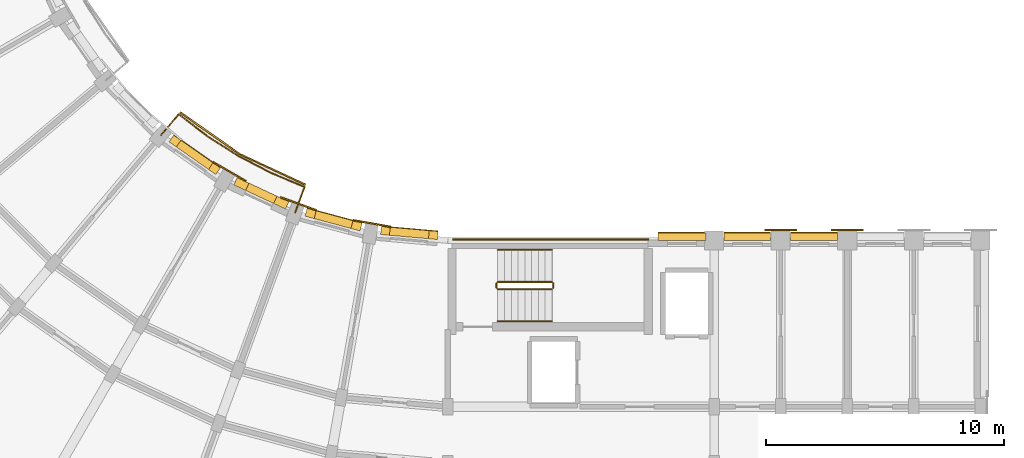
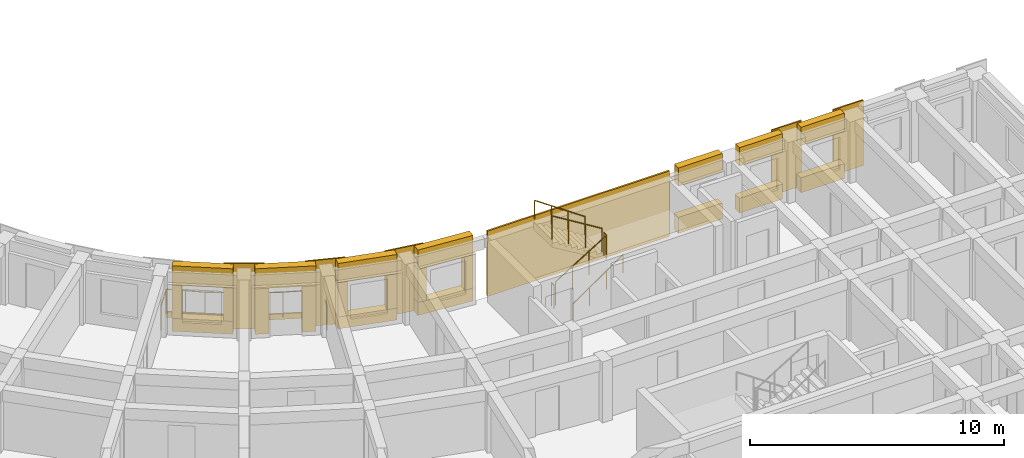
# One storey, part 40 of 54: 28 coverings, 7 railings.
"""IFC4 building model written with IfcOpenShell, lengths in metres."""

import ifcopenshell
import ifcopenshell.guid

model = None  # the IFC model being written
_history = None  # IfcOwnerHistory: only IFC2X3 demands one
_inside = {}  # id of a spatial element -> (the spatial element, [elements in it])
_under = {}  # id of a project, library or spatial element -> (it, [spatial elements below it])
_declared = {}  # id of a project -> (the project, [libraries it declares])
_typed = {}  # id of a type object -> (the type object, [elements of that type])
_made_of = {}  # id of a material, layer set ... -> (it, [elements and type objects made of it])


def new_model(schema):
    """Start an empty IFC model of exactly this schema.

    Asked for "IFC4X3", IfcOpenShell would pick the latest addendum, in which some entities
    have other attributes; the version numbers below select the first issue.
    IFC2X3 requires an IfcOwnerHistory on every rooted entity: one is made here for all.
    """
    global model, _history
    if schema == "IFC4X3":
        model = ifcopenshell.file(schema_version=(4, 3, 0, 0))
    else:
        model = ifcopenshell.file(schema=schema)
    _inside.clear()
    _under.clear()
    _declared.clear()
    _typed.clear()
    _made_of.clear()
    _history = None
    if model.schema == "IFC2X3":
        org = make("IfcOrganization", Name="unknown")
        user = make(
            "IfcPersonAndOrganization",
            ThePerson=make("IfcPerson", FamilyName="unknown"),
            TheOrganization=org,
        )
        app = make(
            "IfcApplication",
            ApplicationDeveloper=org,
            Version="unknown",
            ApplicationFullName="unknown",
            ApplicationIdentifier="unknown",
        )
        _history = make(
            "IfcOwnerHistory",
            OwningUser=user,
            OwningApplication=app,
            ChangeAction="ADDED",
            CreationDate=0,
        )
    return model


def make(cls, **values):
    """One entity of the class cls with the attributes given. An attribute that is None is left unset."""
    return model.create_entity(
        cls, **{name: value for name, value in values.items() if value is not None}
    )


def rooted(cls, **values):
    """An entity with a GlobalId (a new one), such as an element, a storey or a relation."""
    return make(cls, GlobalId=ifcopenshell.guid.new(), OwnerHistory=_history, **values)


def si_unit(unit_type, name, prefix=None):
    """IfcSIUnit, for example si_unit("LENGTHUNIT", "METRE", prefix="MILLI")."""
    return make("IfcSIUnit", UnitType=unit_type, Prefix=prefix, Name=name)


def assignment(units):
    """IfcUnitAssignment: the units of a project."""
    return None if units is None else make("IfcUnitAssignment", Units=units)


def point(xyz):
    """IfcCartesianPoint."""
    return None if xyz is None else make("IfcCartesianPoint", Coordinates=xyz)


def direction(xyz):
    """IfcDirection."""
    return None if xyz is None else make("IfcDirection", DirectionRatios=xyz)


def frame(location, z_axis=None, x_axis=None):
    """IfcAxis2Placement3D, a coordinate frame: its origin and axes. An axis left out is left unset."""
    return make(
        "IfcAxis2Placement3D",
        Location=point(location),
        Axis=direction(z_axis),
        RefDirection=direction(x_axis),
    )


def frame_2d(location, x_axis=None):
    """IfcAxis2Placement2D, a coordinate frame in the plane: its origin and x axis."""
    return make(
        "IfcAxis2Placement2D", Location=point(location), RefDirection=direction(x_axis)
    )


def origin():
    """The frame at (0, 0, 0) with its axes left unset."""
    return frame((0.0, 0.0, 0.0))


def origin_2d():
    """The frame at (0, 0) in the plane with its x axis left unset."""
    return frame_2d((0.0, 0.0))


def place(relative_to, where):
    """IfcLocalPlacement: puts the frame where relative to a parent placement (None: the world)."""
    return make(
        "IfcLocalPlacement", PlacementRelTo=relative_to, RelativePlacement=where
    )


def context(
    kind, dimensions, precision=None, world=None, true_north=None, identifier=None
):
    """IfcGeometricRepresentationContext, for example the 3D "Model" context."""
    return make(
        "IfcGeometricRepresentationContext",
        ContextIdentifier=identifier,
        ContextType=kind,
        CoordinateSpaceDimension=dimensions,
        Precision=precision,
        WorldCoordinateSystem=world,
        TrueNorth=true_north,
    )


def subcontext(parent, identifier, kind, view, scale=None):
    """IfcGeometricRepresentationSubContext, for example "Body" below "Model"."""
    return make(
        "IfcGeometricRepresentationSubContext",
        ContextIdentifier=identifier,
        ContextType=kind,
        ParentContext=parent,
        TargetScale=scale,
        TargetView=view,
    )


def project(units=None, contexts=None):
    """IfcProject with its units and contexts."""
    return rooted(
        "IfcProject",
        Name="project",
        RepresentationContexts=contexts,
        UnitsInContext=assignment(units),
    )


def spatial(cls, under=None, at=None, **own):
    """A site, building, storey or space (cls), placed at a placement, below another one or the project."""
    s = rooted(cls, ObjectPlacement=at, **own)
    if under is not None:
        _under.setdefault(under.id(), (under, []))[1].append(s)
    return s


def polyline(points):
    """IfcPolyline through the points."""
    return make("IfcPolyline", Points=[point(p) for p in points])


def profile(cls, at=None, kind="AREA", **sizes):
    """A parametric profile (cls). Its sizes go by their IFC names, for example OverallWidth=200.0."""
    return make(cls, ProfileType=kind, Position=at, **sizes)


def circle(**sizes):
    """IfcCircleProfileDef."""
    return profile("IfcCircleProfileDef", **sizes)


def outline(outer, holes=None, kind="AREA"):
    """IfcArbitraryClosedProfileDef: a profile drawn as a closed curve; with holes, ...WithVoids."""
    if holes is None:
        return make("IfcArbitraryClosedProfileDef", ProfileType=kind, OuterCurve=outer)
    return make(
        "IfcArbitraryProfileDefWithVoids",
        ProfileType=kind,
        OuterCurve=outer,
        InnerCurves=holes,
    )


def extrude(swept, where, along, depth):
    """IfcExtrudedAreaSolid: the profile swept, set in the frame where, extruded along a direction by depth."""
    return make(
        "IfcExtrudedAreaSolid",
        SweptArea=swept,
        Position=where,
        ExtrudedDirection=direction(along),
        Depth=depth,
    )


def shape(context_of_items, identifier, shape_type, items):
    """IfcShapeRepresentation: the items that make up one representation, for example the "Body"."""
    return make(
        "IfcShapeRepresentation",
        ContextOfItems=context_of_items,
        RepresentationIdentifier=identifier,
        RepresentationType=shape_type,
        Items=items,
    )


def material(Name=None, Category=None):
    """IfcMaterial."""
    return make("IfcMaterial", Name=Name, Category=Category)


def layer(
    of_material, thickness, ventilated=None, Name=None, Category=None, Priority=None
):
    """IfcMaterialLayer: one layer of a wall or slab, of a material (None: an air gap)."""
    return make(
        "IfcMaterialLayer",
        Material=of_material,
        LayerThickness=thickness,
        IsVentilated=ventilated,
        Name=Name,
        Category=Category,
        Priority=Priority,
    )


def layer_set(layers, Name=None):
    """IfcMaterialLayerSet."""
    return make("IfcMaterialLayerSet", MaterialLayers=layers, LayerSetName=Name)


def made_of(thing, what):
    """Note that an element or type object is made of a material, layer set ...; save() writes the relation."""
    if what is not None:
        _made_of.setdefault(what.id(), (what, []))[1].append(thing)
    return thing


def type_object(cls, material=None, **own):
    """A type object (cls), such as IfcWallType, which elements share."""
    return made_of(rooted(cls, **own), material)


def element(
    cls,
    number,
    at=None,
    inside=None,
    cuts=None,
    type_object=None,
    material=None,
    context=None,
    identifier="Body",
    shape_type=None,
    held_by="IfcProductDefinitionShape",
    body=None,
    shapes=None,
    **own,
):
    """One element of the class cls, such as IfcWall. Its Tag is "e" and its number.

    at: its placement. inside: the storey or other place that contains it. cuts: it is an
    opening in that element (IfcRelVoidsElement). A single representation is given by context,
    identifier, shape_type and body (its items); several are given by shapes. held_by: the class
    of the entity that holds the representations. save() writes the other relations.
    """
    e = rooted(cls, Tag="e%d" % number, ObjectPlacement=at, **own)
    if body is not None:
        shapes = [shape(context, identifier, shape_type, body)]
    if shapes is not None:
        e.Representation = make(held_by, Representations=shapes)
    if inside is not None:
        _inside.setdefault(inside.id(), (inside, []))[1].append(e)
    if cuts is not None:
        rooted(
            "IfcRelVoidsElement", RelatingBuildingElement=cuts, RelatedOpeningElement=e
        )
    if type_object is not None:
        _typed.setdefault(type_object.id(), (type_object, []))[1].append(e)
    return made_of(e, material)


def aggregate(whole, parts):
    """IfcRelAggregates: a whole, such as a stair, and the parts it consists of."""
    return rooted("IfcRelAggregates", RelatingObject=whole, RelatedObjects=parts)


def save(model, path):
    """Write the relations noted so far, then the file.

    IfcRelAggregates (storeys below a building ...), IfcRelContainedInSpatialStructure (elements
    in a storey), IfcRelDefinesByType, IfcRelAssociatesMaterial and IfcRelDeclares: one each for
    every whole, place, type object, material and project.
    """
    for whole, parts in _under.values():
        aggregate(whole, parts)
    for where, things in _inside.values():
        rooted(
            "IfcRelContainedInSpatialStructure",
            RelatedElements=things,
            RelatingStructure=where,
        )
    for kind, things in _typed.values():
        rooted("IfcRelDefinesByType", RelatedObjects=things, RelatingType=kind)
    for what, things in _made_of.values():
        rooted("IfcRelAssociatesMaterial", RelatedObjects=things, RelatingMaterial=what)
    for by, libraries in _declared.values():
        rooted("IfcRelDeclares", RelatingContext=by, RelatedDefinitions=libraries)
    model.write(path)


model = new_model("IFC4")

# Units and contexts
model_context = context("Model", 3, precision=1e-05, world=origin(), true_north=direction((0.0, 1.0)))
body_context = subcontext(model_context, "Body", "Model", "MODEL_VIEW")
ifc_project = project(units=[si_unit("LENGTHUNIT", "METRE"), si_unit("AREAUNIT", "SQUARE_METRE"), si_unit("VOLUMEUNIT", "CUBIC_METRE"), si_unit("PLANEANGLEUNIT", "RADIAN"), si_unit("MASSUNIT", "GRAM", prefix="KILO")], contexts=[model_context])

# Site, building, storey
site_placement = place(None, origin())
site = spatial("IfcSite", under=ifc_project, at=site_placement, CompositionType="ELEMENT")
building_placement = place(site_placement, origin())
building = spatial("IfcBuilding", under=site, at=building_placement, Name="Kiranvali Square Residences", CompositionType="ELEMENT")
storey_placement = place(building_placement, frame((0.0, 0.0, 11.85009765625)))
storey = spatial("IfcBuildingStorey", under=building, at=storey_placement, Name="L03", CompositionType="ELEMENT", Elevation=11.85009765625)

# Coverings
ifc_material_1 = material(Name="Carved Porbandar limestone classical entablature and cornice", Category="masonry")
ifc_layer_1 = layer(ifc_material_1, 0.06201171875)
ifc_layer_set_1 = layer_set([ifc_layer_1], Name="Carved Porbandar limestone classical entablature and cornice")
covering_type_1 = type_object("IfcCoveringType", Name="COV-CLAD-GBAL", PredefinedType="CLADDING", material=ifc_layer_set_1)
covering_1_placement = place(storey_placement, frame((0.0, 0.0, -0.22021484375)))
element("IfcCovering", 1, at=covering_1_placement, inside=storey, type_object=covering_type_1, Name="Block C L03 garden balcony limestone fascia 1", PredefinedType="CLADDING", context=body_context, shape_type="SweptSolid", body=[
    extrude(outline(polyline([(42.221435546875, 31.774169921875), (39.4599609375, 33.061767578125), (36.964111328125, 34.8095703125), (36.92041015625, 34.757568359375), (39.426025390625, 33.0029296875), (42.1982421875, 31.710205078125), (42.221435546875, 31.774169921875)])), origin(), (0.0, 0.0, 1.0), 0.27001953125),
])
ifc_material_2 = material(Name="Honed Porbandar limestone ashlar facade cladding", Category="masonry")
ifc_layer_2 = layer(ifc_material_2, 0.3798828125)
ifc_layer_set_2 = layer_set([ifc_layer_2], Name="Honed Porbandar limestone ashlar facade cladding")
covering_type_2 = type_object("IfcCoveringType", Name="COV-CLAD-JAMB", PredefinedType="CLADDING", material=ifc_layer_set_2)
covering_2_placement = place(storey_placement, frame((0.0, 0.0, 0.621826171875)))
element("IfcCovering", 2, at=covering_2_placement, inside=storey, type_object=covering_type_2, Name="L03 deep limestone window jamb reveal C-L03-GDN-00.L", PredefinedType="CLADDING", context=body_context, shape_type="SweptSolid", body=[
    extrude(outline(polyline([(47.791259765625, 29.777099609375), (47.419189453125, 29.8095703125), (47.3896484375, 29.471435546875), (47.76171875, 29.43896484375), (47.791259765625, 29.777099609375)])), origin(), (0.0, 0.0, 1.0), 1.60009765625),
])
covering_3_placement = place(storey_placement, frame((0.0, 0.0, 0.621826171875)))
element("IfcCovering", 3, at=covering_3_placement, inside=storey, type_object=covering_type_2, Name="L03 deep limestone window jamb reveal C-L03-GDN-00.R", PredefinedType="CLADDING", context=body_context, shape_type="SweptSolid", body=[
    extrude(outline(polyline([(45.775390625, 29.953369140625), (45.4033203125, 29.986083984375), (45.373779296875, 29.647705078125), (45.745849609375, 29.615234375), (45.775390625, 29.953369140625)])), origin(), (0.0, 0.0, 1.0), 1.60009765625),
])
covering_4_placement = place(storey_placement, frame((0.0, 0.0, 0.572021484375)))
element("IfcCovering", 4, at=covering_4_placement, inside=storey, type_object=covering_type_2, Name="L03 deep limestone window jamb reveal C-L03-GDN-01.L", PredefinedType="CLADDING", context=body_context, shape_type="SweptSolid", body=[
    extrude(outline(polyline([(44.598388671875, 30.1279296875), (44.21337890625, 30.23095703125), (44.12548828125, 29.903076171875), (44.510498046875, 29.800048828125), (44.598388671875, 30.1279296875)])), origin(), (0.0, 0.0, 1.0), 1.64990234375),
])
covering_5_placement = place(storey_placement, frame((0.0, 0.0, 0.572021484375)))
element("IfcCovering", 5, at=covering_5_placement, inside=storey, type_object=covering_type_2, Name="L03 deep limestone window jamb reveal C-L03-GDN-01.R", PredefinedType="CLADDING", context=body_context, shape_type="SweptSolid", body=[
    extrude(outline(polyline([(42.66796875, 30.645263671875), (42.282958984375, 30.748291015625), (42.195068359375, 30.42041015625), (42.580078125, 30.317138671875), (42.66796875, 30.645263671875)])), origin(), (0.0, 0.0, 1.0), 1.64990234375),
])
covering_6_placement = place(storey_placement, origin())
element("IfcCovering", 6, at=covering_6_placement, inside=storey, type_object=covering_type_2, Name="L03 deep limestone window jamb reveal C-L03-GDN-02.L", PredefinedType="CLADDING", context=body_context, shape_type="SweptSolid", body=[
    extrude(outline(polyline([(41.514892578125, 31.02783203125), (41.017822265625, 31.259765625), (40.874267578125, 30.951904296875), (41.37158203125, 30.72021484375), (41.514892578125, 31.02783203125)])), origin(), (0.0, 0.0, 1.0), 2.179931640625),
])
covering_7_placement = place(storey_placement, origin())
element("IfcCovering", 7, at=covering_7_placement, inside=storey, type_object=covering_type_2, Name="L03 deep limestone window jamb reveal C-L03-GDN-02.R", PredefinedType="CLADDING", context=body_context, shape_type="SweptSolid", body=[
    extrude(outline(polyline([(39.839599609375, 31.80908203125), (39.342529296875, 32.041015625), (39.198974609375, 31.733154296875), (39.696044921875, 31.50146484375), (39.839599609375, 31.80908203125)])), origin(), (0.0, 0.0, 1.0), 2.179931640625),
])
covering_8_placement = place(storey_placement, frame((0.0, 0.0, 0.621826171875)))
element("IfcCovering", 8, at=covering_8_placement, inside=storey, type_object=covering_type_2, Name="L03 deep limestone window jamb reveal C-L03-GDN-03.L", PredefinedType="CLADDING", context=body_context, shape_type="SweptSolid", body=[
    extrude(outline(polyline([(38.634521484375, 32.44970703125), (38.32861328125, 32.663818359375), (38.1337890625, 32.3857421875), (38.43994140625, 32.171630859375), (38.634521484375, 32.44970703125)])), origin(), (0.0, 0.0, 1.0), 1.60009765625),
])
covering_9_placement = place(storey_placement, frame((0.0, 0.0, 0.621826171875)))
element("IfcCovering", 9, at=covering_9_placement, inside=storey, type_object=covering_type_2, Name="L03 deep limestone window jamb reveal C-L03-GDN-03.R", PredefinedType="CLADDING", context=body_context, shape_type="SweptSolid", body=[
    extrude(outline(polyline([(36.97705078125, 33.6103515625), (36.671142578125, 33.824462890625), (36.476318359375, 33.54638671875), (36.7822265625, 33.33203125), (36.97705078125, 33.6103515625)])), origin(), (0.0, 0.0, 1.0), 1.60009765625),
])
ifc_layer_3 = layer(ifc_material_2, 0.06494140625)
ifc_layer_set_3 = layer_set([ifc_layer_3], Name="Honed Porbandar limestone ashlar facade cladding")
covering_type_3 = type_object("IfcCoveringType", Name="COV-CLAD-PIER", PredefinedType="CLADDING", material=ifc_layer_set_3)
covering_10_placement = place(storey_placement, frame((0.0, 0.0, 0.0048828125)))
element("IfcCovering", 10, at=covering_10_placement, inside=storey, type_object=covering_type_3, Name="Block C L03 garden stair limestone ashlar cladding", PredefinedType="CLADDING", context=body_context, shape_type="SweptSolid", body=[
    extrude(outline(polyline([(48.39990234375, 29.402099609375), (56.64990234375, 29.402099609375), (56.64990234375, 29.47998046875), (48.39990234375, 29.47998046875), (48.39990234375, 29.402099609375)])), origin(), (0.0, 0.0, 1.0), 3.14013671875),
])
ifc_layer_4 = layer(ifc_material_2, 0.050048828125)
ifc_layer_set_4 = layer_set([ifc_layer_4], Name="Honed Porbandar limestone ashlar facade cladding")
covering_type_4 = type_object("IfcCoveringType", Name="COV-CLAD-PIER-IN", PredefinedType="CLADDING", material=ifc_layer_set_4)
covering_11_placement = place(storey_placement, frame((0.0, 0.0, 0.0048828125)))
element("IfcCovering", 11, at=covering_11_placement, inside=storey, type_object=covering_type_4, Name="L03 Classical garden courtyard pilaster CLAD-PRIN-C-L03-A01", PredefinedType="CLADDING", context=body_context, shape_type="SweptSolid", body=[
    extrude(outline(polyline([(45.804443359375, 30.007568359375), (44.228759765625, 30.285400390625), (44.217041015625, 30.218994140625), (45.792724609375, 29.941162109375), (45.804443359375, 30.007568359375)])), origin(), (0.0, 0.0, 1.0), 3.14013671875),
])
covering_12_placement = place(storey_placement, frame((0.0, 0.0, 0.0048828125)))
element("IfcCovering", 12, at=covering_12_placement, inside=storey, type_object=covering_type_4, Name="L03 Classical garden courtyard pilaster CLAD-PRIN-C-L03-A02", PredefinedType="CLADDING", context=body_context, shape_type="SweptSolid", body=[
    extrude(outline(polyline([(42.681884765625, 30.699951171875), (41.17822265625, 31.2470703125), (41.1552734375, 31.183837890625), (42.65869140625, 30.636474609375), (42.681884765625, 30.699951171875)])), origin(), (0.0, 0.0, 1.0), 3.14013671875),
])
covering_13_placement = place(storey_placement, frame((0.0, 0.0, 0.0048828125)))
element("IfcCovering", 13, at=covering_13_placement, inside=storey, type_object=covering_type_4, Name="L03 Classical garden courtyard pilaster CLAD-PRIN-C-L03-A03", PredefinedType="CLADDING", context=body_context, shape_type="SweptSolid", body=[
    extrude(outline(polyline([(39.726806640625, 31.924072265625), (38.341064453125, 32.72412109375), (38.307373046875, 32.66552734375), (39.693115234375, 31.865478515625), (39.726806640625, 31.924072265625)])), origin(), (0.0, 0.0, 1.0), 3.14013671875),
])
covering_14_placement = place(storey_placement, frame((0.0, 0.0, 0.0048828125)))
element("IfcCovering", 14, at=covering_14_placement, inside=storey, type_object=covering_type_4, Name="L03 Classical limestone pilaster casing CLAD-PRA1I-C-L03-U140", PredefinedType="CLADDING", context=body_context, shape_type="SweptSolid", body=[
    extrude(outline(polyline([(61.52001953125, 29.800537109375), (62.8798828125, 29.800537109375), (62.8798828125, 29.867919921875), (61.52001953125, 29.867919921875), (61.52001953125, 29.800537109375)])), origin(), (0.0, 0.0, 1.0), 3.14013671875),
])
covering_15_placement = place(storey_placement, frame((0.0, 0.0, 0.0048828125)))
element("IfcCovering", 15, at=covering_15_placement, inside=storey, type_object=covering_type_4, Name="L03 Classical limestone pilaster casing CLAD-PRA1I-C-L03-U167", PredefinedType="CLADDING", context=body_context, shape_type="SweptSolid", body=[
    extrude(outline(polyline([(64.320068359375, 29.800537109375), (65.679931640625, 29.800537109375), (65.679931640625, 29.867919921875), (64.320068359375, 29.867919921875), (64.320068359375, 29.800537109375)])), origin(), (0.0, 0.0, 1.0), 3.14013671875),
])
ifc_layer_5 = layer(ifc_material_2, 0.360107421875)
ifc_layer_set_5 = layer_set([ifc_layer_5], Name="Honed Porbandar limestone ashlar facade cladding")
covering_type_5 = type_object("IfcCoveringType", Name="COV-CLAD-WALL", PredefinedType="CLADDING", material=ifc_layer_set_5)
covering_16_placement = place(storey_placement, frame((0.0, 0.0, 2.221923828125)))
element("IfcCovering", 16, at=covering_16_placement, inside=storey, type_object=covering_type_5, Name="L03 light limestone spandrel lintel C-L03-GDN-00", PredefinedType="CLADDING", context=body_context, shape_type="SweptSolid", body=[
    extrude(outline(polyline([(47.791259765625, 29.777099609375), (45.4033203125, 29.986083984375), (45.373779296875, 29.647705078125), (47.76171875, 29.43896484375), (47.791259765625, 29.777099609375)])), origin(), (0.0, 0.0, 1.0), 0.923095703125),
])
covering_17_placement = place(storey_placement, frame((0.0, 0.0, 2.221923828125)))
element("IfcCovering", 17, at=covering_17_placement, inside=storey, type_object=covering_type_5, Name="L03 light limestone spandrel lintel C-L03-GDN-01", PredefinedType="CLADDING", context=body_context, shape_type="SweptSolid", body=[
    extrude(outline(polyline([(44.598388671875, 30.1279296875), (42.282958984375, 30.748291015625), (42.195068359375, 30.42041015625), (44.510498046875, 29.800048828125), (44.598388671875, 30.1279296875)])), origin(), (0.0, 0.0, 1.0), 0.923095703125),
])
covering_18_placement = place(storey_placement, frame((0.0, 0.0, 2.179931640625)))
element("IfcCovering", 18, at=covering_18_placement, inside=storey, type_object=covering_type_5, Name="L03 light limestone spandrel lintel C-L03-GDN-02", PredefinedType="CLADDING", context=body_context, shape_type="SweptSolid", body=[
    extrude(outline(polyline([(41.514892578125, 31.02783203125), (39.342529296875, 32.041015625), (39.198974609375, 31.733154296875), (41.37158203125, 30.72021484375), (41.514892578125, 31.02783203125)])), origin(), (0.0, 0.0, 1.0), 0.965087890625),
])
covering_19_placement = place(storey_placement, frame((0.0, 0.0, 2.221923828125)))
element("IfcCovering", 19, at=covering_19_placement, inside=storey, type_object=covering_type_5, Name="L03 light limestone spandrel lintel C-L03-GDN-03", PredefinedType="CLADDING", context=body_context, shape_type="SweptSolid", body=[
    extrude(outline(polyline([(38.634521484375, 32.44970703125), (36.671142578125, 33.824462890625), (36.476318359375, 33.54638671875), (38.43994140625, 32.171630859375), (38.634521484375, 32.44970703125)])), origin(), (0.0, 0.0, 1.0), 0.923095703125),
])
covering_20_placement = place(storey_placement, frame((0.0, 0.0, 2.27197265625)))
element("IfcCovering", 20, at=covering_20_placement, inside=storey, type_object=covering_type_5, Name="L03 light limestone spandrel lintel C-L03-A1IN-0", PredefinedType="CLADDING", context=body_context, shape_type="SweptSolid", body=[
    extrude(outline(polyline([(57.050048828125, 29.400390625), (59.050048828125, 29.400390625), (59.050048828125, 29.719970703125), (57.050048828125, 29.719970703125), (57.050048828125, 29.400390625)])), origin(), (0.0, 0.0, 1.0), 0.873046875),
])
covering_21_placement = place(storey_placement, frame((0.0, 0.0, 0.0048828125)))
element("IfcCovering", 21, at=covering_21_placement, inside=storey, type_object=covering_type_5, Name="L03 limestone window sill apron C-L03-A1IN-0", PredefinedType="CLADDING", context=body_context, shape_type="SweptSolid", body=[
    extrude(outline(polyline([(57.050048828125, 29.400390625), (59.050048828125, 29.400390625), (59.050048828125, 29.75), (57.050048828125, 29.75), (57.050048828125, 29.400390625)])), origin(), (0.0, 0.0, 1.0), 0.76708984375),
])
covering_22_placement = place(storey_placement, frame((0.0, 0.0, 2.27197265625)))
element("IfcCovering", 22, at=covering_22_placement, inside=storey, type_object=covering_type_5, Name="L03 light limestone spandrel lintel C-L03-A1I-0", PredefinedType="CLADDING", context=body_context, shape_type="SweptSolid", body=[
    extrude(outline(polyline([(59.820068359375, 29.400390625), (61.780029296875, 29.400390625), (61.780029296875, 29.719970703125), (59.820068359375, 29.719970703125), (59.820068359375, 29.400390625)])), origin(), (0.0, 0.0, 1.0), 0.873046875),
])
covering_23_placement = place(storey_placement, frame((0.0, 0.0, 0.0048828125)))
element("IfcCovering", 23, at=covering_23_placement, inside=storey, type_object=covering_type_5, Name="L03 limestone window sill apron C-L03-A1I-0", PredefinedType="CLADDING", context=body_context, shape_type="SweptSolid", body=[
    extrude(outline(polyline([(59.820068359375, 29.400390625), (61.780029296875, 29.400390625), (61.780029296875, 29.75), (59.820068359375, 29.75), (59.820068359375, 29.400390625)])), origin(), (0.0, 0.0, 1.0), 0.717041015625),
])
covering_24_placement = place(storey_placement, frame((0.0, 0.0, 2.27197265625)))
element("IfcCovering", 24, at=covering_24_placement, inside=storey, type_object=covering_type_5, Name="L03 light limestone spandrel lintel C-L03-A1I-1", PredefinedType="CLADDING", context=body_context, shape_type="SweptSolid", body=[
    extrude(outline(polyline([(62.6201171875, 29.400390625), (64.580078125, 29.400390625), (64.580078125, 29.719970703125), (62.6201171875, 29.719970703125), (62.6201171875, 29.400390625)])), origin(), (0.0, 0.0, 1.0), 0.873046875),
])
covering_25_placement = place(storey_placement, frame((0.0, 0.0, 0.0048828125)))
element("IfcCovering", 25, at=covering_25_placement, inside=storey, type_object=covering_type_5, Name="L03 limestone window sill apron C-L03-A1I-1", PredefinedType="CLADDING", context=body_context, shape_type="SweptSolid", body=[
    extrude(outline(polyline([(62.6201171875, 29.400390625), (64.580078125, 29.400390625), (64.580078125, 29.75), (62.6201171875, 29.75), (62.6201171875, 29.400390625)])), origin(), (0.0, 0.0, 1.0), 0.717041015625),
])
ifc_layer_6 = layer(ifc_material_2, 0.2900390625)
ifc_layer_set_6 = layer_set([ifc_layer_6], Name="Honed Porbandar limestone ashlar facade cladding")
covering_type_6 = type_object("IfcCoveringType", Name="COV-CLAD-WALL-IN", PredefinedType="CLADDING", material=ifc_layer_set_6)
covering_26_placement = place(storey_placement, frame((0.0, 0.0, 0.0048828125)))
element("IfcCovering", 26, at=covering_26_placement, inside=storey, type_object=covering_type_6, Name="L03 limestone window sill apron C-L03-GDN-00", PredefinedType="CLADDING", context=body_context, shape_type="SweptSolid", body=[
    extrude(outline(polyline([(47.7939453125, 29.806884765625), (45.406005859375, 30.015869140625), (45.373779296875, 29.647705078125), (47.76171875, 29.43896484375), (47.7939453125, 29.806884765625)])), origin(), (0.0, 0.0, 1.0), 0.616943359375),
])
covering_27_placement = place(storey_placement, frame((0.0, 0.0, 0.0048828125)))
element("IfcCovering", 27, at=covering_27_placement, inside=storey, type_object=covering_type_6, Name="L03 limestone window sill apron C-L03-GDN-01", PredefinedType="CLADDING", context=body_context, shape_type="SweptSolid", body=[
    extrude(outline(polyline([(44.606201171875, 30.156982421875), (42.290771484375, 30.77734375), (42.195068359375, 30.42041015625), (44.510498046875, 29.800048828125), (44.606201171875, 30.156982421875)])), origin(), (0.0, 0.0, 1.0), 0.567138671875),
])
covering_28_placement = place(storey_placement, frame((0.0, 0.0, 0.0048828125)))
element("IfcCovering", 28, at=covering_28_placement, inside=storey, type_object=covering_type_6, Name="L03 limestone window sill apron C-L03-GDN-03", PredefinedType="CLADDING", context=body_context, shape_type="SweptSolid", body=[
    extrude(outline(polyline([(38.65185546875, 32.47412109375), (36.688232421875, 33.84912109375), (36.476318359375, 33.54638671875), (38.43994140625, 32.171630859375), (38.65185546875, 32.47412109375)])), origin(), (0.0, 0.0, 1.0), 0.616943359375),
])

# Railings
ifc_material_3 = material(Name="Powder-coated architectural bronze balustrade", Category="steel")
railing_type_1 = type_object("IfcRailingType", Name="RL-BAL-GOLD-1200", PredefinedType="BALUSTRADE", material=ifc_material_3)
railing_1_placement = place(storey_placement, frame((41.78369140625, 30.5712890625, 0.0)))
element("IfcRailing", 29, at=railing_1_placement, inside=storey, type_object=railing_type_1, Name="Block C L03 garden balcony gold balustrade 1", PredefinedType="BALUSTRADE", context=body_context, shape_type="SweptSolid", body=[
    extrude(circle(Radius=0.02392578125, at=origin_2d()), frame((0.0, 0.0, 1.17578125), z_axis=(0.341964618562, 0.939712828289, 0.0), x_axis=(-0.939712828289, 0.341964618562, 0.0)), (0.0, 0.0, 1.0), 1.150146484375),
    extrude(circle(Radius=0.02392578125, at=origin_2d()), frame((0.393310546875, 1.080810546875, 1.17578125), z_axis=(-0.923892883829, 0.382651197843, 0.0), x_axis=(-0.382651197843, -0.923892883829, 0.0)), (0.0, 0.0, 1.0), 1.536376953125),
    extrude(circle(Radius=0.02392578125, at=origin_2d()), frame((-1.026123046875, 1.668701171875, 1.17578125), z_axis=(-0.887029366154, 0.461713009976, 0.0), x_axis=(-0.461713009976, -0.887029366154, 0.0)), (0.0, 0.0, 1.0), 1.5361328125),
    extrude(circle(Radius=0.02392578125, at=origin_2d()), frame((-2.388671875, 2.3779296875, 1.17578125), z_axis=(-0.843386539688, 0.537307309343, 0.0), x_axis=(-0.537307309343, -0.843386539688, 0.0)), (0.0, 0.0, 1.0), 1.5361328125),
    extrude(circle(Radius=0.02392578125, at=origin_2d()), frame((-3.684326171875, 3.203369140625, 1.17578125), z_axis=(-0.793314680996, 0.608811807471, 0.0), x_axis=(-0.608811807471, -0.793314680996, 0.0)), (0.0, 0.0, 1.0), 1.536376953125),
    extrude(circle(Radius=0.02392578125, at=origin_2d()), frame((-4.903076171875, 4.138671875, 1.17578125), z_axis=(-0.642853454051, -0.765989188314, 0.0), x_axis=(0.765989188314, -0.642853454051, 0.0)), (0.0, 0.0, 1.0), 1.14990234375),
    extrude(circle(Radius=0.02099609375, at=origin_2d()), origin(), (0.0, 0.0, 1.0), 1.15185546875),
    extrude(circle(Radius=0.02099609375, at=origin_2d()), frame((0.393310546875, 1.080810546875, 0.0)), (0.0, 0.0, 1.0), 1.15185546875),
    extrude(circle(Radius=0.02099609375, at=origin_2d()), frame((-0.31640625, 1.374755859375, 0.0)), (0.0, 0.0, 1.0), 1.15185546875),
    extrude(circle(Radius=0.02099609375, at=origin_2d()), frame((-1.026123046875, 1.668701171875, 0.0)), (0.0, 0.0, 1.0), 1.15185546875),
    extrude(circle(Radius=0.02099609375, at=origin_2d()), frame((-1.70751953125, 2.0234375, 0.0)), (0.0, 0.0, 1.0), 1.15185546875),
    extrude(circle(Radius=0.02099609375, at=origin_2d()), frame((-2.388671875, 2.3779296875, 0.0)), (0.0, 0.0, 1.0), 1.15185546875),
    extrude(circle(Radius=0.02099609375, at=origin_2d()), frame((-3.03662109375, 2.79052734375, 0.0)), (0.0, 0.0, 1.0), 1.15185546875),
    extrude(circle(Radius=0.02099609375, at=origin_2d()), frame((-3.684326171875, 3.203369140625, 0.0)), (0.0, 0.0, 1.0), 1.15185546875),
    extrude(circle(Radius=0.02099609375, at=origin_2d()), frame((-4.293701171875, 3.6708984375, 0.0)), (0.0, 0.0, 1.0), 1.15185546875),
    extrude(circle(Radius=0.02099609375, at=origin_2d()), frame((-4.903076171875, 4.138671875, 0.0)), (0.0, 0.0, 1.0), 1.15185546875),
    extrude(circle(Radius=0.02099609375, at=origin_2d()), frame((-5.642333984375, 3.2578125, 0.0)), (0.0, 0.0, 1.0), 1.15185546875),
])
ifc_material_4 = material(Name="Brushed stainless steel tubular handrail", Category="steel")
railing_type_2 = type_object("IfcRailingType", Name="RL-HANDRAIL-900", PredefinedType="HANDRAIL", material=ifc_material_4)
railing_2_placement = place(storey_placement, frame((50.300048828125, 26.0, 0.1748046875)))
element("IfcRailing", 30, at=railing_2_placement, inside=storey, type_object=railing_type_2, Name="L03 ST-C2 stair handrail 1", PredefinedType="HANDRAIL", context=body_context, shape_type="SweptSolid", body=[
    extrude(circle(Radius=0.02392578125, at=origin_2d()), frame((0.0, 0.0, 0.8759765625), z_axis=(0.82274681792, 0.0, 0.568408016835), x_axis=(0.0, 1.0, 0.0)), (0.0, 0.0, 1.0), 2.771240234375),
    extrude(circle(Radius=0.02099609375, at=origin_2d()), origin(), (0.0, 0.0, 1.0), 0.851806640625),
    extrude(circle(Radius=0.02099609375, at=origin_2d()), frame((0.760009765625, 0.0, 0.525146484375)), (0.0, 0.0, 1.0), 0.851806640625),
    extrude(circle(Radius=0.02099609375, at=origin_2d()), frame((1.52001953125, 0.0, 1.050048828125)), (0.0, 0.0, 1.0), 0.851806640625),
    extrude(circle(Radius=0.02099609375, at=origin_2d()), frame((2.280029296875, 0.0, 1.5751953125)), (0.0, 0.0, 1.0), 0.851806640625),
])
railing_3_placement = place(storey_placement, frame((52.580078125, 29.0, 1.75)))
element("IfcRailing", 31, at=railing_3_placement, inside=storey, type_object=railing_type_2, Name="L03 ST-C2 stair handrail 2", PredefinedType="HANDRAIL", context=body_context, shape_type="SweptSolid", body=[
    extrude(circle(Radius=0.02392578125, at=origin_2d()), frame((0.0, 0.0, 0.8759765625), z_axis=(-0.82278801735, 0.0, 0.568348377763), x_axis=(0.0, -1.0, 0.0)), (0.0, 0.0, 1.0), 2.77099609375),
    extrude(circle(Radius=0.02099609375, at=origin_2d()), origin(), (0.0, 0.0, 1.0), 0.851806640625),
    extrude(circle(Radius=0.02099609375, at=origin_2d()), frame((-0.760009765625, 0.0, 0.52490234375)), (0.0, 0.0, 1.0), 0.851806640625),
    extrude(circle(Radius=0.02099609375, at=origin_2d()), frame((-1.52001953125, 0.0, 1.050048828125)), (0.0, 0.0, 1.0), 0.851806640625),
    extrude(circle(Radius=0.02099609375, at=origin_2d()), frame((-2.280029296875, 0.0, 1.574951171875)), (0.0, 0.0, 1.0), 0.851806640625),
])
railing_type_3 = type_object("IfcRailingType", Name="RL-ST-GUARD-1200", PredefinedType="GUARDRAIL", material=ifc_material_3)
railing_4_placement = place(storey_placement, frame((50.300048828125, 27.35009765625, 0.1748046875)))
element("IfcRailing", 32, at=railing_4_placement, inside=storey, type_object=railing_type_3, Name="L03 ST-C2 stair guard 1", PredefinedType="GUARDRAIL", context=body_context, shape_type="SweptSolid", body=[
    extrude(circle(Radius=0.02392578125, at=origin_2d()), frame((0.0, 0.0, 1.1259765625), z_axis=(0.852149810458, 0.0, 0.523297908018), x_axis=(0.0, 1.0, 0.0)), (0.0, 0.0, 1.0), 2.675537109375),
    extrude(circle(Radius=0.02099609375, at=origin_2d()), origin(), (0.0, 0.0, 1.0), 1.101806640625),
    extrude(circle(Radius=0.02099609375, at=origin_2d()), frame((0.760009765625, 0.0, 0.466796875)), (0.0, 0.0, 1.0), 1.101806640625),
    extrude(circle(Radius=0.02099609375, at=origin_2d()), frame((1.52001953125, 0.0, 0.933349609375)), (0.0, 0.0, 1.0), 1.101806640625),
    extrude(circle(Radius=0.02099609375, at=origin_2d()), frame((2.280029296875, 0.0, 1.400146484375)), (0.0, 0.0, 1.0), 1.101806640625),
])
railing_5_placement = place(storey_placement, frame((52.6298828125, 27.39990234375, 1.574951171875)))
element("IfcRailing", 33, at=railing_5_placement, inside=storey, type_object=railing_type_3, Name="L03 ST-C2 stair guard 2", PredefinedType="GUARDRAIL", context=body_context, shape_type="SweptSolid", body=[
    extrude(circle(Radius=0.02392578125, at=origin_2d()), frame((0.0, 0.0, 1.1259765625), z_axis=(0.0, 1.0, 0.0), x_axis=(-1.0, 0.0, 0.0)), (0.0, 0.0, 1.0), 0.2001953125),
    extrude(circle(Radius=0.02099609375, at=origin_2d()), origin(), (0.0, 0.0, 1.0), 1.101806640625),
    extrude(circle(Radius=0.02099609375, at=origin_2d()), frame((0.0, 0.2001953125, 0.0)), (0.0, 0.0, 1.0), 1.101806640625),
])
railing_6_placement = place(storey_placement, frame((52.580078125, 27.64990234375, 1.75)))
element("IfcRailing", 34, at=railing_6_placement, inside=storey, type_object=railing_type_3, Name="L03 ST-C2 stair guard 3", PredefinedType="GUARDRAIL", context=body_context, shape_type="SweptSolid", body=[
    extrude(circle(Radius=0.02392578125, at=origin_2d()), frame((0.0, 0.0, 1.1259765625), z_axis=(-0.852190499154, 0.0, 0.523231643875), x_axis=(0.0, -1.0, 0.0)), (0.0, 0.0, 1.0), 2.675537109375),
    extrude(circle(Radius=0.02099609375, at=origin_2d()), origin(), (0.0, 0.0, 1.0), 1.101806640625),
    extrude(circle(Radius=0.02099609375, at=origin_2d()), frame((-0.760009765625, 0.0, 0.466552734375)), (0.0, 0.0, 1.0), 1.101806640625),
    extrude(circle(Radius=0.02099609375, at=origin_2d()), frame((-1.52001953125, 0.0, 0.933349609375)), (0.0, 0.0, 1.0), 1.101806640625),
    extrude(circle(Radius=0.02099609375, at=origin_2d()), frame((-2.280029296875, 0.0, 1.39990234375)), (0.0, 0.0, 1.0), 1.101806640625),
])
railing_7_placement = place(storey_placement, frame((50.25, 27.39990234375, 0.0)))
element("IfcRailing", 35, at=railing_7_placement, inside=storey, type_object=railing_type_3, Name="L03 ST-C2 stair guard 4", PredefinedType="GUARDRAIL", context=body_context, shape_type="SweptSolid", body=[
    extrude(circle(Radius=0.02392578125, at=origin_2d()), frame((0.0, 0.0, 1.1259765625), z_axis=(0.0, 1.0, 0.0), x_axis=(-1.0, 0.0, 0.0)), (0.0, 0.0, 1.0), 0.2001953125),
    extrude(circle(Radius=0.02099609375, at=origin_2d()), origin(), (0.0, 0.0, 1.0), 1.101806640625),
    extrude(circle(Radius=0.02099609375, at=origin_2d()), frame((0.0, 0.2001953125, 0.0)), (0.0, 0.0, 1.0), 1.101806640625),
])

save(model, "model.ifc")
